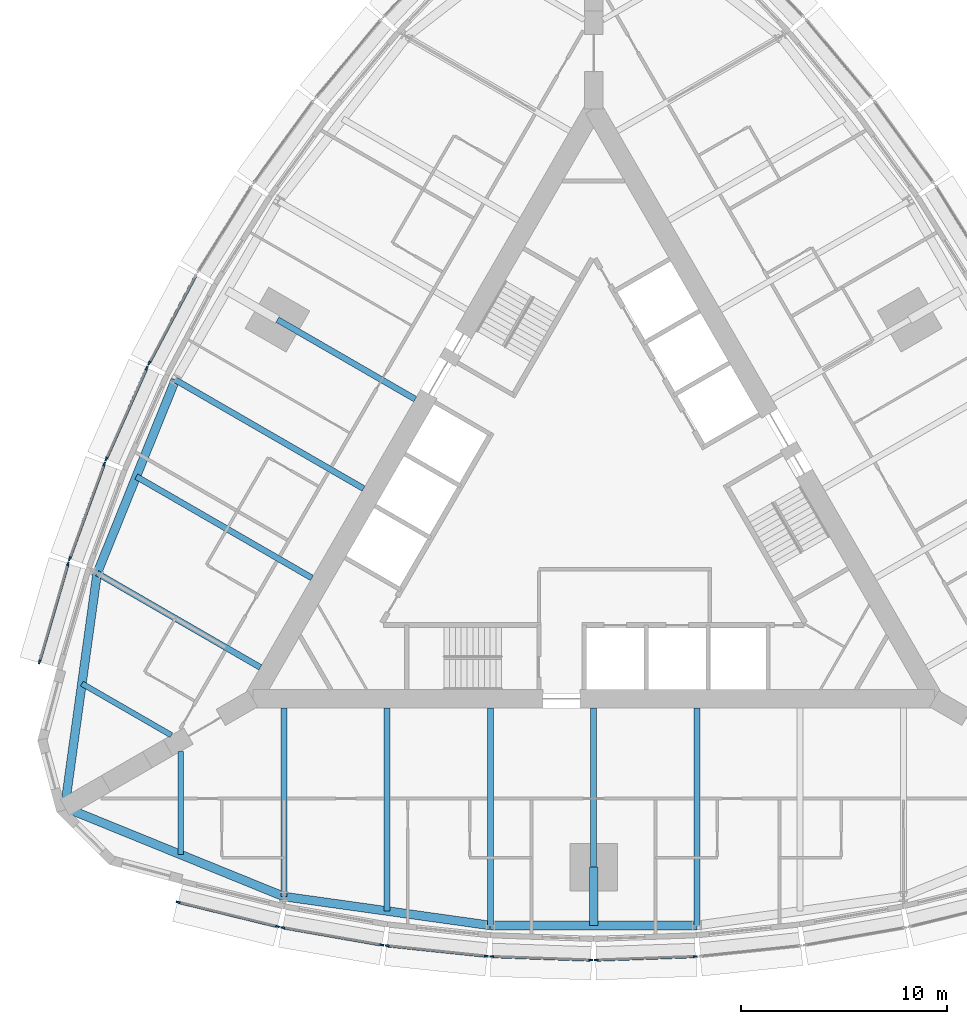
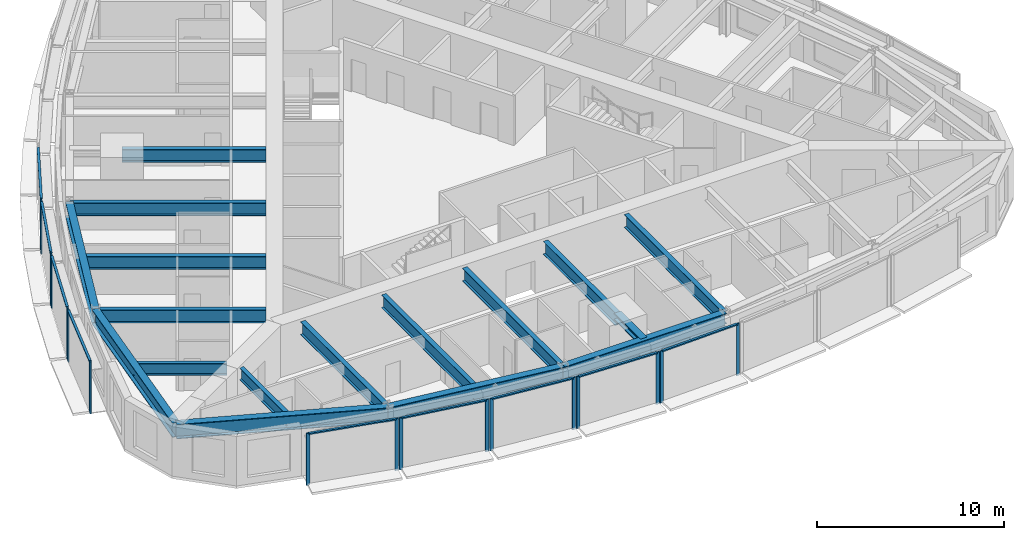
# One storey, part 2 of 14: 26 members, 17 beams, 9 elements without a shape of their own.
"""IFC4 building model written with IfcOpenShell, lengths in metres."""

import ifcopenshell
import ifcopenshell.guid

model = None  # the IFC model being written
_history = None  # IfcOwnerHistory: only IFC2X3 demands one
_inside = {}  # id of a spatial element -> (the spatial element, [elements in it])
_under = {}  # id of a project, library or spatial element -> (it, [spatial elements below it])
_declared = {}  # id of a project -> (the project, [libraries it declares])
_typed = {}  # id of a type object -> (the type object, [elements of that type])
_made_of = {}  # id of a material, layer set ... -> (it, [elements and type objects made of it])


def new_model(schema):
    """Start an empty IFC model of exactly this schema.

    Asked for "IFC4X3", IfcOpenShell would pick the latest addendum, in which some entities
    have other attributes; the version numbers below select the first issue.
    IFC2X3 requires an IfcOwnerHistory on every rooted entity: one is made here for all.
    """
    global model, _history
    if schema == "IFC4X3":
        model = ifcopenshell.file(schema_version=(4, 3, 0, 0))
    else:
        model = ifcopenshell.file(schema=schema)
    _inside.clear()
    _under.clear()
    _declared.clear()
    _typed.clear()
    _made_of.clear()
    _history = None
    if model.schema == "IFC2X3":
        org = make("IfcOrganization", Name="unknown")
        user = make(
            "IfcPersonAndOrganization",
            ThePerson=make("IfcPerson", FamilyName="unknown"),
            TheOrganization=org,
        )
        app = make(
            "IfcApplication",
            ApplicationDeveloper=org,
            Version="unknown",
            ApplicationFullName="unknown",
            ApplicationIdentifier="unknown",
        )
        _history = make(
            "IfcOwnerHistory",
            OwningUser=user,
            OwningApplication=app,
            ChangeAction="ADDED",
            CreationDate=0,
        )
    return model


def make(cls, **values):
    """One entity of the class cls with the attributes given. An attribute that is None is left unset."""
    return model.create_entity(
        cls, **{name: value for name, value in values.items() if value is not None}
    )


def rooted(cls, **values):
    """An entity with a GlobalId (a new one), such as an element, a storey or a relation."""
    return make(cls, GlobalId=ifcopenshell.guid.new(), OwnerHistory=_history, **values)


def si_unit(unit_type, name, prefix=None):
    """IfcSIUnit, for example si_unit("LENGTHUNIT", "METRE", prefix="MILLI")."""
    return make("IfcSIUnit", UnitType=unit_type, Prefix=prefix, Name=name)


def assignment(units):
    """IfcUnitAssignment: the units of a project."""
    return None if units is None else make("IfcUnitAssignment", Units=units)


def point(xyz):
    """IfcCartesianPoint."""
    return None if xyz is None else make("IfcCartesianPoint", Coordinates=xyz)


def direction(xyz):
    """IfcDirection."""
    return None if xyz is None else make("IfcDirection", DirectionRatios=xyz)


def frame(location, z_axis=None, x_axis=None):
    """IfcAxis2Placement3D, a coordinate frame: its origin and axes. An axis left out is left unset."""
    return make(
        "IfcAxis2Placement3D",
        Location=point(location),
        Axis=direction(z_axis),
        RefDirection=direction(x_axis),
    )


def frame_2d(location, x_axis=None):
    """IfcAxis2Placement2D, a coordinate frame in the plane: its origin and x axis."""
    return make(
        "IfcAxis2Placement2D", Location=point(location), RefDirection=direction(x_axis)
    )


def origin():
    """The frame at (0, 0, 0) with its axes left unset."""
    return frame((0.0, 0.0, 0.0))


def origin_2d():
    """The frame at (0, 0) in the plane with its x axis left unset."""
    return frame_2d((0.0, 0.0))


def place(relative_to, where):
    """IfcLocalPlacement: puts the frame where relative to a parent placement (None: the world)."""
    return make(
        "IfcLocalPlacement", PlacementRelTo=relative_to, RelativePlacement=where
    )


def context(
    kind, dimensions, precision=None, world=None, true_north=None, identifier=None
):
    """IfcGeometricRepresentationContext, for example the 3D "Model" context."""
    return make(
        "IfcGeometricRepresentationContext",
        ContextIdentifier=identifier,
        ContextType=kind,
        CoordinateSpaceDimension=dimensions,
        Precision=precision,
        WorldCoordinateSystem=world,
        TrueNorth=true_north,
    )


def subcontext(parent, identifier, kind, view, scale=None):
    """IfcGeometricRepresentationSubContext, for example "Body" below "Model"."""
    return make(
        "IfcGeometricRepresentationSubContext",
        ContextIdentifier=identifier,
        ContextType=kind,
        ParentContext=parent,
        TargetScale=scale,
        TargetView=view,
    )


def project(units=None, contexts=None):
    """IfcProject with its units and contexts."""
    return rooted(
        "IfcProject",
        Name="project",
        RepresentationContexts=contexts,
        UnitsInContext=assignment(units),
    )


def spatial(cls, under=None, at=None, **own):
    """A site, building, storey or space (cls), placed at a placement, below another one or the project."""
    s = rooted(cls, ObjectPlacement=at, **own)
    if under is not None:
        _under.setdefault(under.id(), (under, []))[1].append(s)
    return s


def profile(cls, at=None, kind="AREA", **sizes):
    """A parametric profile (cls). Its sizes go by their IFC names, for example OverallWidth=200.0."""
    return make(cls, ProfileType=kind, Position=at, **sizes)


def rectangle(**sizes):
    """IfcRectangleProfileDef."""
    return profile("IfcRectangleProfileDef", **sizes)


def i_section(**sizes):
    """IfcIShapeProfileDef."""
    return profile("IfcIShapeProfileDef", **sizes)


def extrude(swept, where, along, depth):
    """IfcExtrudedAreaSolid: the profile swept, set in the frame where, extruded along a direction by depth."""
    return make(
        "IfcExtrudedAreaSolid",
        SweptArea=swept,
        Position=where,
        ExtrudedDirection=direction(along),
        Depth=depth,
    )


def shape(context_of_items, identifier, shape_type, items):
    """IfcShapeRepresentation: the items that make up one representation, for example the "Body"."""
    return make(
        "IfcShapeRepresentation",
        ContextOfItems=context_of_items,
        RepresentationIdentifier=identifier,
        RepresentationType=shape_type,
        Items=items,
    )


def material(Name=None, Category=None):
    """IfcMaterial."""
    return make("IfcMaterial", Name=Name, Category=Category)


def material_profile(
    of_material, cross_section, Name=None, Category=None, Priority=None
):
    """IfcMaterialProfile: a cross section and its material."""
    return make(
        "IfcMaterialProfile",
        Name=Name,
        Material=of_material,
        Profile=cross_section,
        Priority=Priority,
        Category=Category,
    )


def profile_set(profiles, Name=None, composite=None):
    """IfcMaterialProfileSet."""
    return make(
        "IfcMaterialProfileSet",
        Name=Name,
        MaterialProfiles=profiles,
        CompositeProfile=composite,
    )


def made_of(thing, what):
    """Note that an element or type object is made of a material, layer set ...; save() writes the relation."""
    if what is not None:
        _made_of.setdefault(what.id(), (what, []))[1].append(thing)
    return thing


def type_object(cls, material=None, **own):
    """A type object (cls), such as IfcWallType, which elements share."""
    return made_of(rooted(cls, **own), material)


def element(
    cls,
    number,
    at=None,
    inside=None,
    cuts=None,
    type_object=None,
    material=None,
    context=None,
    identifier="Body",
    shape_type=None,
    held_by="IfcProductDefinitionShape",
    body=None,
    shapes=None,
    **own,
):
    """One element of the class cls, such as IfcWall. Its Tag is "e" and its number.

    at: its placement. inside: the storey or other place that contains it. cuts: it is an
    opening in that element (IfcRelVoidsElement). A single representation is given by context,
    identifier, shape_type and body (its items); several are given by shapes. held_by: the class
    of the entity that holds the representations. save() writes the other relations.
    """
    e = rooted(cls, Tag="e%d" % number, ObjectPlacement=at, **own)
    if body is not None:
        shapes = [shape(context, identifier, shape_type, body)]
    if shapes is not None:
        e.Representation = make(held_by, Representations=shapes)
    if inside is not None:
        _inside.setdefault(inside.id(), (inside, []))[1].append(e)
    if cuts is not None:
        rooted(
            "IfcRelVoidsElement", RelatingBuildingElement=cuts, RelatedOpeningElement=e
        )
    if type_object is not None:
        _typed.setdefault(type_object.id(), (type_object, []))[1].append(e)
    return made_of(e, material)


def aggregate(whole, parts):
    """IfcRelAggregates: a whole, such as a stair, and the parts it consists of."""
    return rooted("IfcRelAggregates", RelatingObject=whole, RelatedObjects=parts)


def save(model, path):
    """Write the relations noted so far, then the file.

    IfcRelAggregates (storeys below a building ...), IfcRelContainedInSpatialStructure (elements
    in a storey), IfcRelDefinesByType, IfcRelAssociatesMaterial and IfcRelDeclares: one each for
    every whole, place, type object, material and project.
    """
    for whole, parts in _under.values():
        aggregate(whole, parts)
    for where, things in _inside.values():
        rooted(
            "IfcRelContainedInSpatialStructure",
            RelatedElements=things,
            RelatingStructure=where,
        )
    for kind, things in _typed.values():
        rooted("IfcRelDefinesByType", RelatedObjects=things, RelatingType=kind)
    for what, things in _made_of.values():
        rooted("IfcRelAssociatesMaterial", RelatedObjects=things, RelatingMaterial=what)
    for by, libraries in _declared.values():
        rooted("IfcRelDeclares", RelatingContext=by, RelatedDefinitions=libraries)
    model.write(path)


model = new_model("IFC4")

# Units and contexts
model_context = context("Model", 3, precision=1e-05, world=origin(), true_north=direction((0.0, 1.0)))
body_context = subcontext(model_context, "Body", "Model", "MODEL_VIEW")
ifc_project = project(units=[si_unit("LENGTHUNIT", "METRE"), si_unit("AREAUNIT", "SQUARE_METRE"), si_unit("VOLUMEUNIT", "CUBIC_METRE"), si_unit("PLANEANGLEUNIT", "RADIAN"), si_unit("MASSUNIT", "GRAM", prefix="KILO")], contexts=[model_context])

# Site, building, storey
site_placement = place(None, origin())
site = spatial("IfcSite", under=ifc_project, at=site_placement, CompositionType="ELEMENT")
building_placement = place(site_placement, origin())
building = spatial("IfcBuilding", under=site, at=building_placement, Name="Trikona Tower", CompositionType="ELEMENT")
storey_placement = place(building_placement, frame((0.0, 0.0, 172.5)))
storey = spatial("IfcBuildingStorey", under=building, at=storey_placement, Name="L46", CompositionType="ELEMENT", Elevation=172.5)

# Curtain wall, members
ifc_material_1 = material(Name="Aluminium curtain wall system", Category="aluminium")
curtain_wall_type = type_object("IfcCurtainWallType", Name="Curtain wall DS2", PredefinedType="NOTDEFINED", material=ifc_material_1)
curtain_wall_1_placement = place(storey_placement, origin())
curtain_wall_1 = element("IfcCurtainWall", 1, at=curtain_wall_1_placement, inside=storey, type_object=curtain_wall_type, Name="Curtain wall DS2 L46", PredefinedType="NOTDEFINED")
ifc_material_2 = material(Name="Aluminium mullion, pale anodised", Category="aluminium")
ifc_material_profile_1 = material_profile(ifc_material_2, rectangle(XDim=0.080078125, YDim=0.199951171875, at=origin_2d()), Name="MUL-DS2")
ifc_profile_set_1 = profile_set([ifc_material_profile_1], Name="Aluminium mullion, pale anodised")
member_type_1 = type_object("IfcMemberType", Name="Mullion DS2 80x200", PredefinedType="MULLION", material=ifc_profile_set_1)
member_1_placement = place(storey_placement, frame((-20.116943359375, -19.373046875, 0.0), z_axis=(0.0, 0.0, 1.0), x_axis=(0.237970204243, 0.971272455026, 0.0)))
member_1 = element("IfcMember", 2, at=member_1_placement, type_object=member_type_1, Name="CW-DS2 mullion 1", PredefinedType="MULLION", context=body_context, shape_type="SweptSolid", body=[
    extrude(rectangle(XDim=0.080078125, YDim=0.199951171875, at=origin_2d()), origin(), (0.0, 0.0, 1.0), 3.39990234375),
])
member_2_placement = place(storey_placement, frame((-15.311279296875, -20.550537109375, 0.0), z_axis=(0.0, 0.0, 1.0), x_axis=(0.237970204243, 0.971272455026, 0.0)))
member_2 = element("IfcMember", 3, at=member_2_placement, type_object=member_type_1, Name="CW-DS2 mullion 2", PredefinedType="MULLION", context=body_context, shape_type="SweptSolid", body=[
    extrude(rectangle(XDim=0.080078125, YDim=0.199951171875, at=origin_2d()), origin(), (0.0, 0.0, 1.0), 3.39990234375),
])

curtain_wall_2_placement = place(storey_placement, origin())
curtain_wall_2 = element("IfcCurtainWall", 4, at=curtain_wall_2_placement, inside=storey, type_object=curtain_wall_type, Name="Curtain wall DS2 L46", PredefinedType="NOTDEFINED")
member_3_placement = place(storey_placement, frame((-15.056640625, -20.60400390625, 0.0), z_axis=(0.0, 0.0, 1.0), x_axis=(0.17237739505, 0.985030981074, 0.0)))
member_3 = element("IfcMember", 5, at=member_3_placement, type_object=member_type_1, Name="CW-DS2 mullion 1", PredefinedType="MULLION", context=body_context, shape_type="SweptSolid", body=[
    extrude(rectangle(XDim=0.080078125, YDim=0.199951171875, at=origin_2d()), origin(), (0.0, 0.0, 1.0), 3.39990234375),
])
member_4_placement = place(storey_placement, frame((-10.253662109375, -21.444580078125, 0.0), z_axis=(0.0, 0.0, 1.0), x_axis=(0.17237739505, 0.985030981074, 0.0)))
member_4 = element("IfcMember", 6, at=member_4_placement, type_object=member_type_1, Name="CW-DS2 mullion 2", PredefinedType="MULLION", context=body_context, shape_type="SweptSolid", body=[
    extrude(rectangle(XDim=0.080078125, YDim=0.199951171875, at=origin_2d()), origin(), (0.0, 0.0, 1.0), 3.39990234375),
])

curtain_wall_3_placement = place(storey_placement, origin())
curtain_wall_3 = element("IfcCurtainWall", 7, at=curtain_wall_3_placement, inside=storey, type_object=curtain_wall_type, Name="Curtain wall DS2 L46", PredefinedType="NOTDEFINED")
member_5_placement = place(storey_placement, frame((-9.99462890625, -21.480712890625, 0.0), z_axis=(0.0, 0.0, 1.0), x_axis=(0.104433387357, 0.994531883654, 0.0)))
member_5 = element("IfcMember", 8, at=member_5_placement, type_object=member_type_1, Name="CW-DS2 mullion 1", PredefinedType="MULLION", context=body_context, shape_type="SweptSolid", body=[
    extrude(rectangle(XDim=0.080078125, YDim=0.199951171875, at=origin_2d()), origin(), (0.0, 0.0, 1.0), 3.39990234375),
])
member_6_placement = place(storey_placement, frame((-5.193359375, -21.98486328125, 0.0), z_axis=(0.0, 0.0, 1.0), x_axis=(0.104433387357, 0.994531883654, 0.0)))
member_6 = element("IfcMember", 9, at=member_6_placement, type_object=member_type_1, Name="CW-DS2 mullion 2", PredefinedType="MULLION", context=body_context, shape_type="SweptSolid", body=[
    extrude(rectangle(XDim=0.080078125, YDim=0.199951171875, at=origin_2d()), origin(), (0.0, 0.0, 1.0), 3.39990234375),
])

curtain_wall_4_placement = place(storey_placement, origin())
curtain_wall_4 = element("IfcCurtainWall", 10, at=curtain_wall_4_placement, inside=storey, type_object=curtain_wall_type, Name="Curtain wall DS2 L46", PredefinedType="NOTDEFINED")
member_7_placement = place(storey_placement, frame((-4.931640625, -22.003173828125, 0.0), z_axis=(0.0, 0.0, 1.0), x_axis=(0.034998320052, 0.99938737114, 0.0)))
member_7 = element("IfcMember", 11, at=member_7_placement, type_object=member_type_1, Name="CW-DS2 mullion 1", PredefinedType="MULLION", context=body_context, shape_type="SweptSolid", body=[
    extrude(rectangle(XDim=0.080078125, YDim=0.199951171875, at=origin_2d()), origin(), (0.0, 0.0, 1.0), 3.39990234375),
])
member_8_placement = place(storey_placement, frame((-0.13134765625, -22.171142578125, 0.0), z_axis=(0.0, 0.0, 1.0), x_axis=(0.034998320052, 0.99938737114, 0.0)))
member_8 = element("IfcMember", 12, at=member_8_placement, type_object=member_type_1, Name="CW-DS2 mullion 2", PredefinedType="MULLION", context=body_context, shape_type="SweptSolid", body=[
    extrude(rectangle(XDim=0.080078125, YDim=0.199951171875, at=origin_2d()), origin(), (0.0, 0.0, 1.0), 3.39990234375),
])

curtain_wall_5_placement = place(storey_placement, origin())
curtain_wall_5 = element("IfcCurtainWall", 13, at=curtain_wall_5_placement, inside=storey, type_object=curtain_wall_type, Name="Curtain wall DS2 L46", PredefinedType="NOTDEFINED")
member_9_placement = place(storey_placement, frame((0.13134765625, -22.171142578125, 0.0), z_axis=(0.0, 0.0, 1.0), x_axis=(-0.034998320052, 0.99938737114, 0.0)))
member_9 = element("IfcMember", 14, at=member_9_placement, type_object=member_type_1, Name="CW-DS2 mullion 1", PredefinedType="MULLION", context=body_context, shape_type="SweptSolid", body=[
    extrude(rectangle(XDim=0.080078125, YDim=0.199951171875, at=origin_2d()), origin(), (0.0, 0.0, 1.0), 3.39990234375),
])
member_10_placement = place(storey_placement, frame((4.931640625, -22.003173828125, 0.0), z_axis=(0.0, 0.0, 1.0), x_axis=(-0.034998320052, 0.99938737114, 0.0)))
member_10 = element("IfcMember", 15, at=member_10_placement, type_object=member_type_1, Name="CW-DS2 mullion 2", PredefinedType="MULLION", context=body_context, shape_type="SweptSolid", body=[
    extrude(rectangle(XDim=0.080078125, YDim=0.199951171875, at=origin_2d()), origin(), (0.0, 0.0, 1.0), 3.39990234375),
])

# Curtain wall, member
curtain_wall_6_placement = place(storey_placement, origin())
curtain_wall_6 = element("IfcCurtainWall", 16, at=curtain_wall_6_placement, inside=storey, type_object=curtain_wall_type, Name="Curtain wall DS2 L46", PredefinedType="NOTDEFINED")
member_11_placement = place(storey_placement, frame((-21.52099609375, 6.730712890625, 0.0), z_axis=(0.0, 0.0, 1.0), x_axis=(0.882996107343, -0.469380308937, 0.0)))
member_11 = element("IfcMember", 17, at=member_11_placement, type_object=member_type_1, Name="CW-DS2 mullion 2", PredefinedType="MULLION", context=body_context, shape_type="SweptSolid", body=[
    extrude(rectangle(XDim=0.080078125, YDim=0.199951171875, at=origin_2d()), origin(), (0.0, 0.0, 1.0), 3.39990234375),
])

# Curtain wall, members
curtain_wall_7_placement = place(storey_placement, origin())
curtain_wall_7 = element("IfcCurtainWall", 18, at=curtain_wall_7_placement, inside=storey, type_object=curtain_wall_type, Name="Curtain wall DS2 L46", PredefinedType="NOTDEFINED")
member_12_placement = place(storey_placement, frame((-21.63623046875, 6.494873046875, 0.0), z_axis=(0.0, 0.0, 1.0), x_axis=(0.913501208767, -0.406836013132, 0.0)))
member_12 = element("IfcMember", 19, at=member_12_placement, type_object=member_type_1, Name="CW-DS2 mullion 1", PredefinedType="MULLION", context=body_context, shape_type="SweptSolid", body=[
    extrude(rectangle(XDim=0.080078125, YDim=0.199951171875, at=origin_2d()), origin(), (0.0, 0.0, 1.0), 3.39990234375),
])
member_13_placement = place(storey_placement, frame((-23.60009765625, 2.0849609375, 0.0), z_axis=(0.0, 0.0, 1.0), x_axis=(0.913501208767, -0.406836013132, 0.0)))
member_13 = element("IfcMember", 20, at=member_13_placement, type_object=member_type_1, Name="CW-DS2 mullion 2", PredefinedType="MULLION", context=body_context, shape_type="SweptSolid", body=[
    extrude(rectangle(XDim=0.080078125, YDim=0.199951171875, at=origin_2d()), origin(), (0.0, 0.0, 1.0), 3.39990234375),
])

curtain_wall_8_placement = place(storey_placement, origin())
curtain_wall_8 = element("IfcCurtainWall", 21, at=curtain_wall_8_placement, inside=storey, type_object=curtain_wall_type, Name="Curtain wall DS2 L46", PredefinedType="NOTDEFINED")
member_14_placement = place(storey_placement, frame((-23.6982421875, 1.84228515625, 0.0), z_axis=(0.0, 0.0, 1.0), x_axis=(0.939253790978, -0.343223420143, 0.0)))
member_14 = element("IfcMember", 22, at=member_14_placement, type_object=member_type_1, Name="CW-DS2 mullion 1", PredefinedType="MULLION", context=body_context, shape_type="SweptSolid", body=[
    extrude(rectangle(XDim=0.080078125, YDim=0.199951171875, at=origin_2d()), origin(), (0.0, 0.0, 1.0), 3.39990234375),
])
member_15_placement = place(storey_placement, frame((-25.371826171875, -2.737548828125, 0.0), z_axis=(0.0, 0.0, 1.0), x_axis=(0.939253790978, -0.343223420143, 0.0)))
member_15 = element("IfcMember", 23, at=member_15_placement, type_object=member_type_1, Name="CW-DS2 mullion 2", PredefinedType="MULLION", context=body_context, shape_type="SweptSolid", body=[
    extrude(rectangle(XDim=0.080078125, YDim=0.199951171875, at=origin_2d()), origin(), (0.0, 0.0, 1.0), 3.39990234375),
])

curtain_wall_9_placement = place(storey_placement, origin())
curtain_wall_9 = element("IfcCurtainWall", 24, at=curtain_wall_9_placement, inside=storey, type_object=curtain_wall_type, Name="Curtain wall DS2 L46", PredefinedType="NOTDEFINED")
member_16_placement = place(storey_placement, frame((-25.452880859375, -2.984619140625, 0.0), z_axis=(0.0, 0.0, 1.0), x_axis=(0.96013310152, -0.279543247757, 0.0)))
member_16 = element("IfcMember", 25, at=member_16_placement, type_object=member_type_1, Name="CW-DS2 mullion 1", PredefinedType="MULLION", context=body_context, shape_type="SweptSolid", body=[
    extrude(rectangle(XDim=0.080078125, YDim=0.199951171875, at=origin_2d()), origin(), (0.0, 0.0, 1.0), 3.39990234375),
])
member_17_placement = place(storey_placement, frame((-26.836181640625, -7.7353515625, 0.0), z_axis=(0.0, 0.0, 1.0), x_axis=(0.96013310152, -0.279543247757, 0.0)))
member_17 = element("IfcMember", 26, at=member_17_placement, type_object=member_type_1, Name="CW-DS2 mullion 2", PredefinedType="MULLION", context=body_context, shape_type="SweptSolid", body=[
    extrude(rectangle(XDim=0.080078125, YDim=0.199951171875, at=origin_2d()), origin(), (0.0, 0.0, 1.0), 3.39990234375),
])

# Beams
ifc_material_3 = material(Name="Steel ASTM A992 Grade 50", Category="steel")
ifc_material_profile_2 = material_profile(ifc_material_3, i_section(OverallWidth=0.419189453125, OverallDepth=0.45458984375, WebThickness=0.042236328125, FlangeThickness=0.067626953125, at=origin_2d()), Name="W14X370")
ifc_profile_set_2 = profile_set([ifc_material_profile_2], Name="Steel ASTM A992 Grade 50")
beam_type_1 = type_object("IfcBeamType", Name="Steel beam W14x370 (apex bracket)", PredefinedType="BEAM", material=ifc_profile_set_2)
beam_1_placement = place(storey_placement, frame((0.0, -17.680419921875, 3.0078125), z_axis=(0.0, -1.0, 0.0), x_axis=(1.0, 0.0, 0.0)))
element("IfcBeam", 27, at=beam_1_placement, inside=storey, type_object=beam_type_1, Name="Cantilever bracket L47 F1", PredefinedType="BEAM", context=body_context, shape_type="SweptSolid", body=[
    extrude(i_section(OverallWidth=0.419189453125, OverallDepth=0.45458984375, WebThickness=0.042236328125, FlangeThickness=0.067626953125, at=origin_2d()), origin(), (0.0, 0.0, 1.0), 2.81982421875),
])
ifc_material_4 = material(Name="Steel ASTM A992 Grade 50", Category="steel")
ifc_material_profile_3 = material_profile(ifc_material_4, i_section(OverallWidth=0.2666015625, OverallDepth=0.76953125, WebThickness=0.015625, FlangeThickness=0.025390625, at=origin_2d()), Name="W30X132")
ifc_profile_set_3 = profile_set([ifc_material_profile_3], Name="Steel ASTM A992 Grade 50")
beam_type_2 = type_object("IfcBeamType", Name="Steel beam W30x132 (wedge)", PredefinedType="BEAM", material=ifc_profile_set_3)
beam_2_placement = place(storey_placement, frame((-20.0, -12.066650390625, 2.85009765625), z_axis=(0.0, -1.0, 0.0), x_axis=(1.0, 0.0, 0.0)))
element("IfcBeam", 28, at=beam_2_placement, inside=storey, type_object=beam_type_2, Name="Floor beam L47 F1 u-20", PredefinedType="BEAM", context=body_context, shape_type="SweptSolid", body=[
    extrude(i_section(OverallWidth=0.2666015625, OverallDepth=0.76953125, WebThickness=0.015625, FlangeThickness=0.025390625, at=origin_2d()), origin(), (0.0, 0.0, 1.0), 5.00048828125),
])
beam_3_placement = place(storey_placement, frame((-20.449951171875, -11.287109375, 2.85009765625), z_axis=(-0.866038434829, 0.49997742889, 0.0), x_axis=(-0.49997742889, -0.866038434829, 0.0)))
element("IfcBeam", 29, at=beam_3_placement, inside=storey, type_object=beam_type_2, Name="Floor beam L47 F3 u20", PredefinedType="BEAM", context=body_context, shape_type="SweptSolid", body=[
    extrude(i_section(OverallWidth=0.2666015625, OverallDepth=0.76953125, WebThickness=0.015625, FlangeThickness=0.025390625, at=origin_2d()), origin(), (0.0, 0.0, 1.0), 5.000732421875),
])
ifc_material_5 = material(Name="Steel ASTM A992 Grade 50", Category="steel")
ifc_material_profile_4 = material_profile(ifc_material_5, i_section(OverallWidth=0.2919921875, OverallDepth=0.845703125, WebThickness=0.015380859375, FlangeThickness=0.0244140625, at=origin_2d()), Name="W33X141")
ifc_profile_set_4 = profile_set([ifc_material_profile_4], Name="Steel ASTM A992 Grade 50")
beam_type_3 = type_object("IfcBeamType", Name="Steel beam W33x141 (radial typ)", PredefinedType="BEAM", material=ifc_profile_set_4)
beam_4_placement = place(storey_placement, frame((-15.0, -9.976318359375, 2.81201171875), z_axis=(0.0, -1.0, 0.0), x_axis=(1.0, 0.0, 0.0)))
element("IfcBeam", 30, at=beam_4_placement, inside=storey, type_object=beam_type_3, Name="Floor beam L47 F1 u-15", PredefinedType="BEAM", context=body_context, shape_type="SweptSolid", body=[
    extrude(i_section(OverallWidth=0.2919921875, OverallDepth=0.845703125, WebThickness=0.015380859375, FlangeThickness=0.0244140625, at=origin_2d()), origin(), (0.0, 0.0, 1.0), 9.123779296875),
])
beam_5_placement = place(storey_placement, frame((-10.0, -9.976318359375, 2.81201171875), z_axis=(0.0, -1.0, 0.0), x_axis=(1.0, 0.0, 0.0)))
element("IfcBeam", 31, at=beam_5_placement, inside=storey, type_object=beam_type_3, Name="Floor beam L47 F1 u-10", PredefinedType="BEAM", context=body_context, shape_type="SweptSolid", body=[
    extrude(i_section(OverallWidth=0.2919921875, OverallDepth=0.845703125, WebThickness=0.015380859375, FlangeThickness=0.0244140625, at=origin_2d()), origin(), (0.0, 0.0, 1.0), 9.823974609375),
])
beam_6_placement = place(storey_placement, frame((-5.0, -9.976318359375, 2.81201171875), z_axis=(0.0, -1.0, 0.0), x_axis=(1.0, 0.0, 0.0)))
element("IfcBeam", 32, at=beam_6_placement, inside=storey, type_object=beam_type_3, Name="Floor beam L47 F1 u-5", PredefinedType="BEAM", context=body_context, shape_type="SweptSolid", body=[
    extrude(i_section(OverallWidth=0.2919921875, OverallDepth=0.845703125, WebThickness=0.015380859375, FlangeThickness=0.0244140625, at=origin_2d()), origin(), (0.0, 0.0, 1.0), 10.52392578125),
])
beam_7_placement = place(storey_placement, frame((0.0, -9.976318359375, 2.81201171875), z_axis=(0.0, -1.0, 0.0), x_axis=(1.0, 0.0, 0.0)))
element("IfcBeam", 33, at=beam_7_placement, inside=storey, type_object=beam_type_3, Name="Floor beam L47 F1 u0", PredefinedType="BEAM", context=body_context, shape_type="SweptSolid", body=[
    extrude(i_section(OverallWidth=0.2919921875, OverallDepth=0.845703125, WebThickness=0.015380859375, FlangeThickness=0.0244140625, at=origin_2d()), origin(), (0.0, 0.0, 1.0), 7.7041015625),
])
beam_8_placement = place(storey_placement, frame((5.0, -9.976318359375, 2.81201171875), z_axis=(0.0, -1.0, 0.0), x_axis=(1.0, 0.0, 0.0)))
element("IfcBeam", 34, at=beam_8_placement, inside=storey, type_object=beam_type_3, Name="Floor beam L47 F1 u5", PredefinedType="BEAM", context=body_context, shape_type="SweptSolid", body=[
    extrude(i_section(OverallWidth=0.2919921875, OverallDepth=0.845703125, WebThickness=0.015380859375, FlangeThickness=0.0244140625, at=origin_2d()), origin(), (0.0, 0.0, 1.0), 10.52392578125),
])
beam_9_placement = place(storey_placement, frame((-8.6396484375, 4.988037109375, 2.81201171875), z_axis=(-0.866017246294, 0.500014128921, 0.0), x_axis=(-0.500014128921, -0.866017246294, 0.0)))
element("IfcBeam", 35, at=beam_9_placement, inside=storey, type_object=beam_type_3, Name="Floor beam L47 F3 u0", PredefinedType="BEAM", context=body_context, shape_type="SweptSolid", body=[
    extrude(i_section(OverallWidth=0.2919921875, OverallDepth=0.845703125, WebThickness=0.015380859375, FlangeThickness=0.0244140625, at=origin_2d()), origin(), (0.0, 0.0, 1.0), 7.704345703125),
])
beam_10_placement = place(storey_placement, frame((-11.1396484375, 0.657958984375, 2.81201171875), z_axis=(-0.866026035623, 0.499998905622, 0.0), x_axis=(-0.499998905622, -0.866026035623, 0.0)))
element("IfcBeam", 36, at=beam_10_placement, inside=storey, type_object=beam_type_3, Name="Floor beam L47 F3 u5", PredefinedType="BEAM", context=body_context, shape_type="SweptSolid", body=[
    extrude(i_section(OverallWidth=0.2919921875, OverallDepth=0.845703125, WebThickness=0.015380859375, FlangeThickness=0.0244140625, at=origin_2d()), origin(), (0.0, 0.0, 1.0), 10.52392578125),
])
beam_11_placement = place(storey_placement, frame((-13.6396484375, -3.672119140625, 2.81201171875), z_axis=(-0.866020046725, 0.500009278584, 0.0), x_axis=(-0.500009278584, -0.866020046725, 0.0)))
element("IfcBeam", 37, at=beam_11_placement, inside=storey, type_object=beam_type_3, Name="Floor beam L47 F3 u10", PredefinedType="BEAM", context=body_context, shape_type="SweptSolid", body=[
    extrude(i_section(OverallWidth=0.2919921875, OverallDepth=0.845703125, WebThickness=0.015380859375, FlangeThickness=0.0244140625, at=origin_2d()), origin(), (0.0, 0.0, 1.0), 9.823974609375),
])
beam_12_placement = place(storey_placement, frame((-16.1396484375, -8.002197265625, 2.81201171875), z_axis=(-0.866024725532, 0.500001174766, 0.0), x_axis=(-0.500001174766, -0.866024725532, 0.0)))
element("IfcBeam", 38, at=beam_12_placement, inside=storey, type_object=beam_type_3, Name="Floor beam L47 F3 u15", PredefinedType="BEAM", context=body_context, shape_type="SweptSolid", body=[
    extrude(i_section(OverallWidth=0.2919921875, OverallDepth=0.845703125, WebThickness=0.015380859375, FlangeThickness=0.0244140625, at=origin_2d()), origin(), (0.0, 0.0, 1.0), 9.1240234375),
])
ifc_material_6 = material(Name="Steel ASTM A992 Grade 50", Category="steel")
ifc_material_profile_5 = material_profile(ifc_material_6, i_section(OverallWidth=0.424072265625, OverallDepth=0.947509765625, WebThickness=0.02392578125, FlangeThickness=0.042724609375, at=origin_2d()), Name="W36X302")
ifc_profile_set_5 = profile_set([ifc_material_profile_5], Name="Steel ASTM A992 Grade 50")
beam_type_4 = type_object("IfcBeamType", Name="Steel beam W36x302 (spandrel)", PredefinedType="SPANDREL", material=ifc_profile_set_5)
beam_13_placement = place(storey_placement, frame((-25.6103515625, -14.7861328125, 2.76123046875), z_axis=(0.926359695662, -0.376640032728, 0.0), x_axis=(0.376640032728, 0.926359695662, 0.0)))
element("IfcBeam", 39, at=beam_13_placement, inside=storey, type_object=beam_type_4, Name="Spandrel beam L47 F1-1", PredefinedType="SPANDREL", context=body_context, shape_type="SweptSolid", body=[
    extrude(i_section(OverallWidth=0.424072265625, OverallDepth=0.947509765625, WebThickness=0.02392578125, FlangeThickness=0.042724609375, at=origin_2d()), origin(), (0.0, 0.0, 1.0), 11.453857421875),
])
beam_14_placement = place(storey_placement, frame((-15.0, -19.10009765625, 2.76123046875), z_axis=(0.990339754644, -0.13866207258, 0.0), x_axis=(0.13866207258, 0.990339754644, 0.0)))
element("IfcBeam", 40, at=beam_14_placement, inside=storey, type_object=beam_type_4, Name="Spandrel beam L47 F1-2", PredefinedType="SPANDREL", context=body_context, shape_type="SweptSolid", body=[
    extrude(i_section(OverallWidth=0.424072265625, OverallDepth=0.947509765625, WebThickness=0.02392578125, FlangeThickness=0.042724609375, at=origin_2d()), origin(), (0.0, 0.0, 1.0), 10.09765625),
])
beam_15_placement = place(storey_placement, frame((-5.0, -20.500244140625, 2.76123046875), z_axis=(1.0, 0.0, 0.0), x_axis=(0.0, 1.0, 0.0)))
element("IfcBeam", 41, at=beam_15_placement, inside=storey, type_object=beam_type_4, Name="Spandrel beam L47 F1-3", PredefinedType="SPANDREL", context=body_context, shape_type="SweptSolid", body=[
    extrude(i_section(OverallWidth=0.424072265625, OverallDepth=0.947509765625, WebThickness=0.02392578125, FlangeThickness=0.042724609375, at=origin_2d()), origin(), (0.0, 0.0, 1.0), 10.0),
])
beam_16_placement = place(storey_placement, frame((-20.253662109375, 5.919921875, 2.76123046875), z_axis=(-0.375106193787, -0.926981846307, 0.0), x_axis=(0.926981846307, -0.375106193787, 0.0)))
element("IfcBeam", 42, at=beam_16_placement, inside=storey, type_object=beam_type_4, Name="Spandrel beam L47 F3-4", PredefinedType="SPANDREL", context=body_context, shape_type="SweptSolid", body=[
    extrude(i_section(OverallWidth=0.424072265625, OverallDepth=0.947509765625, WebThickness=0.02392578125, FlangeThickness=0.042724609375, at=origin_2d()), origin(), (0.0, 0.0, 1.0), 10.097412109375),
])
beam_17_placement = place(storey_placement, frame((-24.041259765625, -3.440185546875, 2.76123046875), z_axis=(-0.136991535842, -0.990572218017, 0.0), x_axis=(0.990572218017, -0.136991535842, 0.0)))
element("IfcBeam", 43, at=beam_17_placement, inside=storey, type_object=beam_type_4, Name="Spandrel beam L47 F3-5", PredefinedType="SPANDREL", context=body_context, shape_type="SweptSolid", body=[
    extrude(i_section(OverallWidth=0.424072265625, OverallDepth=0.947509765625, WebThickness=0.02392578125, FlangeThickness=0.042724609375, at=origin_2d()), origin(), (0.0, 0.0, 1.0), 11.453857421875),
])

# Member
ifc_material_7 = material(Name="Aluminium transom, pale anodised", Category="aluminium")
ifc_material_profile_6 = material_profile(ifc_material_7, rectangle(XDim=0.139892578125, YDim=0.080078125, at=origin_2d()), Name="TRN-DS2")
ifc_profile_set_6 = profile_set([ifc_material_profile_6], Name="Aluminium transom, pale anodised")
member_type_2 = type_object("IfcMemberType", Name="Transom DS2 80x140", PredefinedType="USERDEFINED", material=ifc_profile_set_6)
member_18_placement = place(storey_placement, frame((-20.078125, -19.382568359375, 3.360107421875), z_axis=(0.971270583303, -0.237977843528, 0.0), x_axis=(0.237977843528, 0.971270583303, 0.0)))
member_18 = element("IfcMember", 44, at=member_18_placement, type_object=member_type_2, Name="CW-DS2 transom 1.1", ObjectType="TRANSOM", PredefinedType="USERDEFINED", context=body_context, shape_type="SweptSolid", body=[
    extrude(rectangle(XDim=0.139892578125, YDim=0.080078125, at=origin_2d()), origin(), (0.0, 0.0, 1.0), 4.867919921875),
])

aggregate(curtain_wall_1, [member_1, member_2, member_18])

member_19_placement = place(storey_placement, frame((-15.01708984375, -20.61083984375, 3.360107421875), z_axis=(0.98503262804, -0.172367983387, 0.0), x_axis=(0.172367983387, 0.98503262804, 0.0)))
member_19 = element("IfcMember", 45, at=member_19_placement, type_object=member_type_2, Name="CW-DS2 transom 1.1", ObjectType="TRANSOM", PredefinedType="USERDEFINED", context=body_context, shape_type="SweptSolid", body=[
    extrude(rectangle(XDim=0.139892578125, YDim=0.080078125, at=origin_2d()), origin(), (0.0, 0.0, 1.0), 4.7958984375),
])

aggregate(curtain_wall_2, [member_3, member_4, member_19])

member_20_placement = place(storey_placement, frame((-9.954833984375, -21.48486328125, 3.360107421875), z_axis=(0.99453106441, -0.104441188822, 0.0), x_axis=(0.104441188822, 0.99453106441, 0.0)))
member_20 = element("IfcMember", 46, at=member_20_placement, type_object=member_type_2, Name="CW-DS2 transom 1.1", ObjectType="TRANSOM", PredefinedType="USERDEFINED", context=body_context, shape_type="SweptSolid", body=[
    extrude(rectangle(XDim=0.139892578125, YDim=0.080078125, at=origin_2d()), origin(), (0.0, 0.0, 1.0), 4.74755859375),
])

aggregate(curtain_wall_3, [member_5, member_6, member_20])

member_21_placement = place(storey_placement, frame((-4.8916015625, -22.00439453125, 3.360107421875), z_axis=(0.999385692759, -0.035046213908, 0.0), x_axis=(0.035046213908, 0.999385692759, 0.0)))
member_21 = element("IfcMember", 47, at=member_21_placement, type_object=member_type_2, Name="CW-DS2 transom 1.1", ObjectType="TRANSOM", PredefinedType="USERDEFINED", context=body_context, shape_type="SweptSolid", body=[
    extrude(rectangle(XDim=0.139892578125, YDim=0.080078125, at=origin_2d()), origin(), (0.0, 0.0, 1.0), 4.72314453125),
])

aggregate(curtain_wall_4, [member_7, member_8, member_21])

member_22_placement = place(storey_placement, frame((0.17138671875, -22.169921875, 3.360107421875), z_axis=(0.999385692759, 0.035046213908, 0.0), x_axis=(-0.035046213908, 0.999385692759, 0.0)))
member_22 = element("IfcMember", 48, at=member_22_placement, type_object=member_type_2, Name="CW-DS2 transom 1.1", ObjectType="TRANSOM", PredefinedType="USERDEFINED", context=body_context, shape_type="SweptSolid", body=[
    extrude(rectangle(XDim=0.139892578125, YDim=0.080078125, at=origin_2d()), origin(), (0.0, 0.0, 1.0), 4.72314453125),
])

aggregate(curtain_wall_5, [member_9, member_10, member_22])

member_23_placement = place(storey_placement, frame((-19.285400390625, 10.9365234375, 3.360107421875), z_axis=(-0.469364343408, -0.883004594063, 0.0), x_axis=(0.883004594063, -0.469364343408, 0.0)))
member_23 = element("IfcMember", 49, at=member_23_placement, type_object=member_type_2, Name="CW-DS2 transom 1.1", ObjectType="TRANSOM", PredefinedType="USERDEFINED", context=body_context, shape_type="SweptSolid", body=[
    extrude(rectangle(XDim=0.139892578125, YDim=0.080078125, at=origin_2d()), origin(), (0.0, 0.0, 1.0), 4.722900390625),
])

aggregate(curtain_wall_6, [member_11, member_23])

member_24_placement = place(storey_placement, frame((-21.65234375, 6.458251953125, 3.360107421875), z_axis=(-0.406839769607, -0.913499535778, 0.0), x_axis=(0.913499535778, -0.406839769607, 0.0)))
member_24 = element("IfcMember", 50, at=member_24_placement, type_object=member_type_2, Name="CW-DS2 transom 1.1", ObjectType="TRANSOM", PredefinedType="USERDEFINED", context=body_context, shape_type="SweptSolid", body=[
    extrude(rectangle(XDim=0.139892578125, YDim=0.080078125, at=origin_2d()), origin(), (0.0, 0.0, 1.0), 4.747314453125),
])

aggregate(curtain_wall_7, [member_12, member_13, member_24])

member_25_placement = place(storey_placement, frame((-23.712158203125, 1.8046875, 3.360107421875), z_axis=(-0.343205907674, -0.939260190223, 0.0), x_axis=(0.939260190223, -0.343205907674, 0.0)))
member_25 = element("IfcMember", 51, at=member_25_placement, type_object=member_type_2, Name="CW-DS2 transom 1.1", ObjectType="TRANSOM", PredefinedType="USERDEFINED", context=body_context, shape_type="SweptSolid", body=[
    extrude(rectangle(XDim=0.139892578125, YDim=0.080078125, at=origin_2d()), origin(), (0.0, 0.0, 1.0), 4.7958984375),
])

aggregate(curtain_wall_8, [member_14, member_15, member_25])

member_26_placement = place(storey_placement, frame((-25.464111328125, -3.023193359375, 3.360107421875), z_axis=(-0.279566628153, -0.960126293996, 0.0), x_axis=(0.960126293996, -0.279566628153, 0.0)))
member_26 = element("IfcMember", 52, at=member_26_placement, type_object=member_type_2, Name="CW-DS2 transom 1.1", ObjectType="TRANSOM", PredefinedType="USERDEFINED", context=body_context, shape_type="SweptSolid", body=[
    extrude(rectangle(XDim=0.139892578125, YDim=0.080078125, at=origin_2d()), origin(), (0.0, 0.0, 1.0), 4.86767578125),
])

aggregate(curtain_wall_9, [member_16, member_17, member_26])

save(model, "model.ifc")
